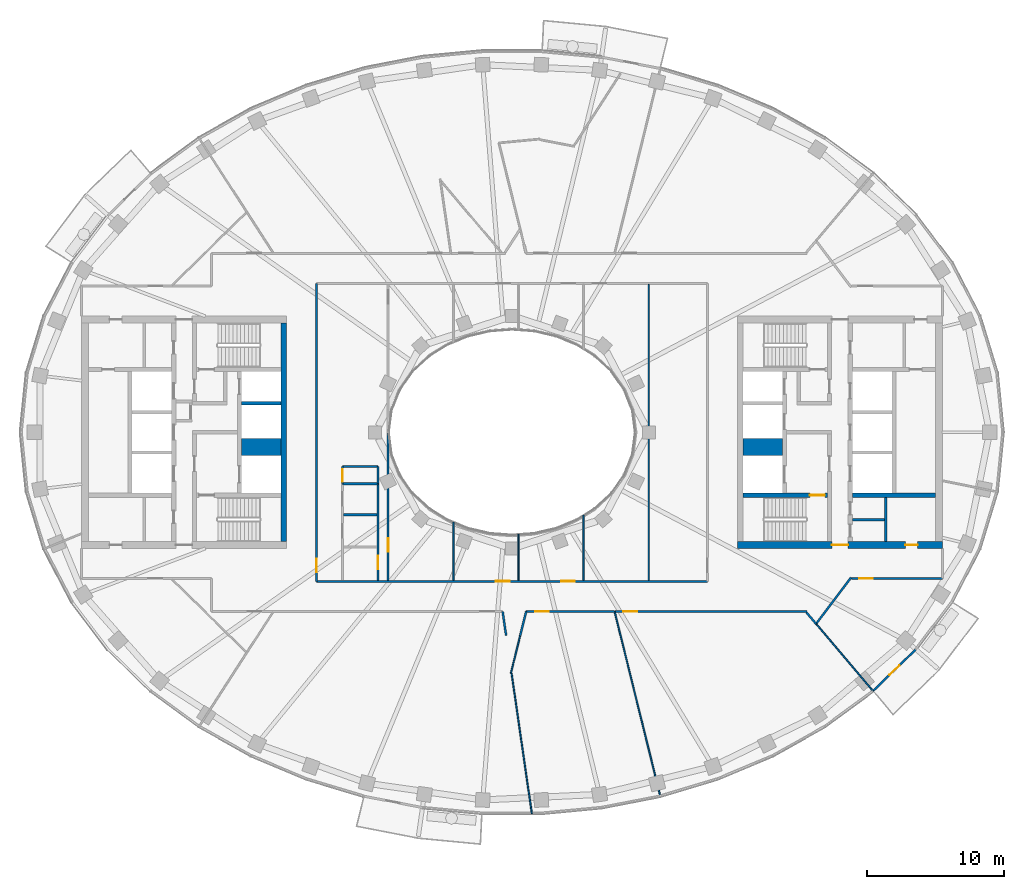
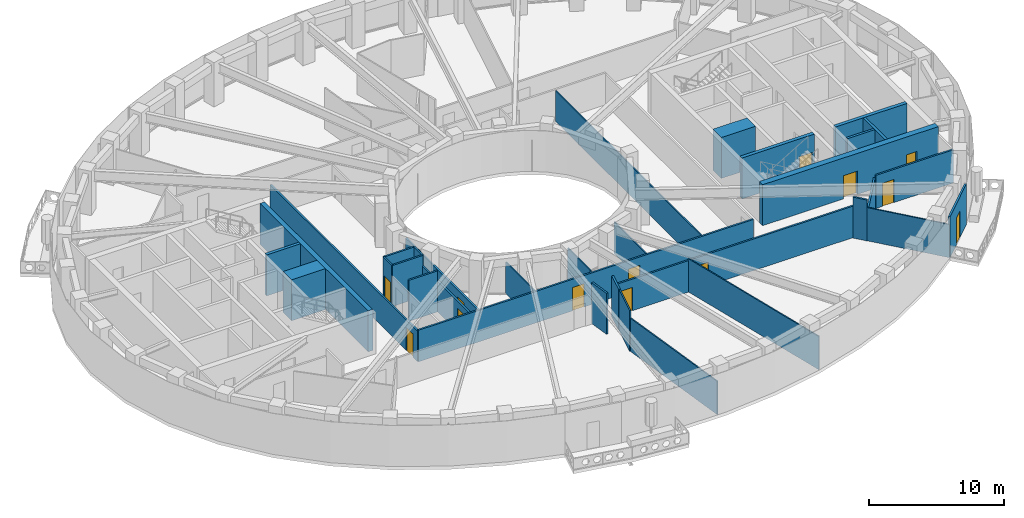
# One storey, part 4 of 16: 34 walls, 13 doors, 13 openings.
"""IFC4 building model written with IfcOpenShell, lengths in metres."""

from ifc_helpers import new_model, si_unit, direction, frame, frame_2d, origin, place, context, subcontext, project, spatial, rectangle, extrude, material, layer, layer_set, type_object, element, fill, save


model = new_model("IFC4")

# Units and contexts
model_context = context("Model", 3, precision=1e-05, world=origin(), true_north=direction((0.0, 1.0)))
body_context = subcontext(model_context, "Body", "Model", "MODEL_VIEW")
ifc_project = project(units=[si_unit("LENGTHUNIT", "METRE"), si_unit("AREAUNIT", "SQUARE_METRE"), si_unit("VOLUMEUNIT", "CUBIC_METRE"), si_unit("PLANEANGLEUNIT", "RADIAN"), si_unit("MASSUNIT", "GRAM", prefix="KILO")], contexts=[model_context])

# Site, building, storey
site_placement = place(None, origin())
site = spatial("IfcSite", under=ifc_project, at=site_placement, CompositionType="ELEMENT")
building_placement = place(site_placement, origin())
building = spatial("IfcBuilding", under=site, at=building_placement, Name="Noorbagh Ring Tower", CompositionType="ELEMENT")
storey_placement = place(building_placement, frame((0.0, 0.0, 261.5)))
storey = spatial("IfcBuildingStorey", under=building, at=storey_placement, Name="L55", CompositionType="ELEMENT", Elevation=261.5)

# Wall, opening, door
ifc_material_1 = material(Name="Gypsum board on steel studs", Category="steel")
ifc_layer_1 = layer(ifc_material_1, 0.14990234375)
ifc_layer_set_1 = layer_set([ifc_layer_1], Name="Gypsum board on steel studs")
wall_type_1 = type_object("IfcWallType", Name="COMPARTMENT PARTITION 150 EI 60", PredefinedType="PARTITIONING", material=ifc_layer_set_1)
wall_1_placement = place(storey_placement, frame((-12.39990234375, -3.760009765625, 0.0), z_axis=(0.0, 0.0, 1.0), x_axis=(0.0, 1.0, 0.0)))
wall_1 = element("IfcWall", 1, at=wall_1_placement, inside=storey, type_object=wall_type_1, Name="L55/wall/P20", PredefinedType="PARTITIONING", context=body_context, shape_type="SweptSolid", body=[
    extrude(rectangle(XDim=1.260009765625, YDim=0.14990234375, at=frame_2d((0.6298828125, 0.0))), origin(), (0.0, 0.0, 1.0), 3.699951171875),
])
opening_1_placement = place(wall_1_placement, frame((0.14990234375, 0.0, 0.0)))
opening_1 = element("IfcOpeningElement", 2, at=opening_1_placement, cuts=wall_1, Name="Opening D4", PredefinedType="OPENING", context=body_context, shape_type="SweptSolid", body=[
    extrude(rectangle(XDim=0.89990234375, YDim=2.10009765625, at=frame_2d((0.449951171875, 1.050048828125))), frame((0.0, 0.0849609375, 0.0), z_axis=(0.0, -1.0, 0.0), x_axis=(1.0, 0.0, 0.0)), (0.0, 0.0, 1.0), 0.169921875),
])
ifc_material_2 = material(Name="Timber, painted", Category="wood")
door_type_1 = type_object("IfcDoorType", Name="DOOR 900 X 2100 FD60", OperationType="SINGLE_SWING_LEFT", PredefinedType="DOOR", material=ifc_material_2)
door_1_placement = place(opening_1_placement, origin())
door_1 = element("IfcDoor", 3, at=door_1_placement, inside=storey, type_object=door_type_1, Name="L55-D05", OperationType="SINGLE_SWING_LEFT", OverallHeight=2.10009765625, OverallWidth=0.89990234375, PredefinedType="DOOR", context=body_context, shape_type="SweptSolid", body=[
    extrude(rectangle(XDim=0.89990234375, YDim=2.10009765625, at=frame_2d((0.449951171875, 1.050048828125))), frame((0.0, 0.02490234375, 0.0), z_axis=(0.0, -1.0, 0.0), x_axis=(1.0, 0.0, 0.0)), (0.0, 0.0, 1.0), 0.050048828125),
])
fill(opening_1, door_1)

# Walls
wall_2_placement = place(storey_placement, frame((-12.39990234375, -3.760009765625, 0.0), z_axis=(0.0, 0.0, 1.0), x_axis=(1.0, 0.0, 0.0)))
element("IfcWall", 4, at=wall_2_placement, inside=storey, type_object=wall_type_1, Name="L55/wall/P21", PredefinedType="PARTITIONING", context=body_context, shape_type="SweptSolid", body=[
    extrude(rectangle(XDim=2.599853515625, YDim=0.14990234375, at=frame_2d((1.2998046875, 0.0))), origin(), (0.0, 0.0, 1.0), 3.699951171875),
])
wall_3_placement = place(storey_placement, frame((-12.39990234375, -2.5, 0.0), z_axis=(0.0, 0.0, 1.0), x_axis=(1.0, 0.0, 0.0)))
element("IfcWall", 5, at=wall_3_placement, inside=storey, type_object=wall_type_1, Name="L55/wall/P22", PredefinedType="PARTITIONING", context=body_context, shape_type="SweptSolid", body=[
    extrude(rectangle(XDim=2.595947265625, YDim=0.14990234375, at=frame_2d((1.2978515625, 0.0))), origin(), (0.0, 0.0, 1.0), 3.699951171875),
])
wall_4_placement = place(storey_placement, frame((-9.800048828125, -3.760009765625, 0.0), z_axis=(0.0, 0.0, 1.0), x_axis=(0.0, 1.0, 0.0)))
element("IfcWall", 6, at=wall_4_placement, inside=storey, type_object=wall_type_1, Name="L55/wall/P24", PredefinedType="PARTITIONING", context=body_context, shape_type="SweptSolid", body=[
    extrude(rectangle(XDim=1.256103515625, YDim=0.14990234375, at=frame_2d((0.6279296875, 0.0))), origin(), (0.0, 0.0, 1.0), 3.699951171875),
])
ifc_material_3 = material(Name="Gypsum board on steel studs", Category="steel")
ifc_layer_2 = layer(ifc_material_3, 0.199951171875)
ifc_layer_set_2 = layer_set([ifc_layer_2], Name="Gypsum board on steel studs")
wall_type_2 = type_object("IfcWallType", Name="CORE-PARTITION-200", PredefinedType="PARTITIONING", material=ifc_layer_set_2)
wall_5_placement = place(storey_placement, frame((27.35009765625, -8.0, 0.0), z_axis=(0.0, 0.0, 1.0), x_axis=(0.0, 1.0, 0.0)))
element("IfcWall", 7, at=wall_5_placement, inside=storey, type_object=wall_type_2, Name="Core partition E", PredefinedType="PARTITIONING", context=body_context, shape_type="SweptSolid", body=[
    extrude(rectangle(XDim=3.25, YDim=0.199951171875, at=frame_2d((1.625, 0.0))), origin(), (0.0, 0.0, 1.0), 3.699951171875),
])
wall_6_placement = place(storey_placement, frame((24.89990234375, -6.39990234375, 0.0), z_axis=(0.0, 0.0, 1.0), x_axis=(1.0, 0.0, 0.0)))
element("IfcWall", 8, at=wall_6_placement, inside=storey, type_object=wall_type_2, Name="Core partition E", PredefinedType="PARTITIONING", context=body_context, shape_type="SweptSolid", body=[
    extrude(rectangle(XDim=2.35009765625, YDim=0.199951171875, at=frame_2d((1.175048828125, 0.0))), origin(), (0.0, 0.0, 1.0), 3.699951171875),
])
ifc_material_4 = material(Name="Concrete C60/75", Category="concrete")
ifc_layer_3 = layer(ifc_material_4, 1.25)
ifc_layer_set_3 = layer_set([ifc_layer_3], Name="Concrete C60/75")
wall_type_3 = type_object("IfcWallType", Name="CORE-WALL-1250-C60-75-EI120", PredefinedType="SHEAR", material=ifc_layer_set_3)
for number, where, z_axis, x_axis, name in (
    (9, (-16.89990234375, -1.074951171875, 0.0), (0.0, 0.0, 1.0), (-1.0, 0.0, 0.0), "Core wall W"),
    (10, (16.89990234375, -1.074951171875, 0.0), (0.0, 0.0, 1.0), (1.0, 0.0, 0.0), "Core wall E"),
):
    element("IfcWall", number, at=place(storey_placement, frame(where, z_axis=z_axis, x_axis=x_axis)), inside=storey, type_object=wall_type_3, Name=name, PredefinedType="SHEAR", context=body_context, shape_type="SweptSolid", body=[
        extrude(rectangle(XDim=2.900146484375, YDim=1.25, at=frame_2d((1.4501953125, 0.0))), origin(), (0.0, 0.0, 1.0), 3.699951171875),
    ])
ifc_material_5 = material(Name="Concrete C60/75", Category="concrete")
ifc_layer_4 = layer(ifc_material_5, 0.25)
ifc_layer_set_4 = layer_set([ifc_layer_4], Name="Concrete C60/75")
wall_type_4 = type_object("IfcWallType", Name="CORE-WALL-250-C60-75-EI120", PredefinedType="SHEAR", material=ifc_layer_set_4)
wall_7_placement = place(storey_placement, frame((-16.89990234375, 2.125, 0.0), z_axis=(0.0, 0.0, 1.0), x_axis=(-1.0, 0.0, 0.0)))
element("IfcWall", 11, at=wall_7_placement, inside=storey, type_object=wall_type_4, Name="Core wall W", PredefinedType="SHEAR", context=body_context, shape_type="SweptSolid", body=[
    extrude(rectangle(XDim=2.900146484375, YDim=0.25, at=frame_2d((1.4501953125, 0.0))), origin(), (0.0, 0.0, 1.0), 3.699951171875),
])
ifc_material_6 = material(Name="Concrete C60/75", Category="concrete")
ifc_layer_5 = layer(ifc_material_6, 0.300048828125)
ifc_layer_set_5 = layer_set([ifc_layer_5], Name="Concrete C60/75")
wall_type_5 = type_object("IfcWallType", Name="CORE-WALL-300-C60-75-EI240", PredefinedType="SHEAR", material=ifc_layer_set_5)
wall_8_placement = place(storey_placement, frame((24.89990234375, -4.60009765625, 0.0), z_axis=(0.0, 0.0, 1.0), x_axis=(1.0, 0.0, 0.0)))
element("IfcWall", 12, at=wall_8_placement, inside=storey, type_object=wall_type_5, Name="Core wall E", PredefinedType="SHEAR", context=body_context, shape_type="SweptSolid", body=[
    extrude(rectangle(XDim=6.10009765625, YDim=0.300048828125, at=frame_2d((3.050048828125, 0.0))), origin(), (0.0, 0.0, 1.0), 3.699951171875),
])

# Wall, opening, door
wall_9_placement = place(storey_placement, frame((16.89990234375, -4.60009765625, 0.0), z_axis=(0.0, 0.0, 1.0), x_axis=(1.0, 0.0, 0.0)))
wall_9 = element("IfcWall", 13, at=wall_9_placement, inside=storey, type_object=wall_type_5, Name="Core wall E", PredefinedType="SHEAR", context=body_context, shape_type="SweptSolid", body=[
    extrude(rectangle(XDim=6.18017578125, YDim=0.300048828125, at=frame_2d((3.090087890625, 0.0))), origin(), (0.0, 0.0, 1.0), 3.699951171875),
])
opening_2_placement = place(wall_9_placement, frame((4.89990234375, 0.0, 0.0)))
opening_2 = element("IfcOpeningElement", 14, at=opening_2_placement, cuts=wall_9, Name="Opening L55-CE08", PredefinedType="OPENING", context=body_context, shape_type="SweptSolid", body=[
    extrude(rectangle(XDim=1.10009765625, YDim=2.10009765625, at=frame_2d((0.550048828125, 1.050048828125))), frame((0.0, 0.16015625, 0.0), z_axis=(0.0, -1.0, 0.0), x_axis=(1.0, 0.0, 0.0)), (0.0, 0.0, 1.0), 0.320068359375),
])
ifc_material_7 = material(Name="Steel door leaf", Category="steel")
door_type_2 = type_object("IfcDoorType", Name="CORE-DOOR-DSTAIR", OperationType="SINGLE_SWING_LEFT", PredefinedType="DOOR", material=ifc_material_7)
door_2_placement = place(opening_2_placement, origin())
door_2 = element("IfcDoor", 15, at=door_2_placement, inside=storey, type_object=door_type_2, Name="Stair door ST4 L55-CE08", OperationType="SINGLE_SWING_RIGHT", OverallHeight=2.10009765625, OverallWidth=1.10009765625, PredefinedType="DOOR", context=body_context, shape_type="SweptSolid", body=[
    extrude(rectangle(XDim=1.10009765625, YDim=2.10009765625, at=frame_2d((0.550048828125, 1.050048828125))), frame((0.0, 0.02490234375, 0.0), z_axis=(0.0, -1.0, 0.0), x_axis=(1.0, 0.0, 0.0)), (0.0, 0.0, 1.0), 0.050048828125),
])
fill(opening_2, door_2)

# Wall
ifc_material_8 = material(Name="Concrete C60/75", Category="concrete")
ifc_layer_6 = layer(ifc_material_8, 0.39990234375)
ifc_layer_set_6 = layer_set([ifc_layer_6], Name="Concrete C60/75")
wall_type_6 = type_object("IfcWallType", Name="CORE-WALL-400-C60-75-EI240", PredefinedType="SHEAR", material=ifc_layer_set_6)
wall_10_placement = place(storey_placement, frame((-16.699951171875, -8.0, 0.0), z_axis=(0.0, 0.0, 1.0), x_axis=(0.0, 1.0, 0.0)))
element("IfcWall", 16, at=wall_10_placement, inside=storey, type_object=wall_type_6, Name="Core wall W", PredefinedType="SHEAR", context=body_context, shape_type="SweptSolid", body=[
    extrude(rectangle(XDim=16.0, YDim=0.39990234375, at=frame_2d((8.0, 0.0))), origin(), (0.0, 0.0, 1.0), 3.699951171875),
])

# Wall, openings, doors
ifc_material_9 = material(Name="Concrete C60/75", Category="concrete")
ifc_layer_7 = layer(ifc_material_9, 0.5)
ifc_layer_set_7 = layer_set([ifc_layer_7], Name="Concrete C60/75")
wall_type_7 = type_object("IfcWallType", Name="CORE-WALL-500-C60-75-EI240", PredefinedType="SHEAR", material=ifc_layer_set_7)
wall_11_placement = place(storey_placement, frame((16.5, -8.25, 0.0), z_axis=(0.0, 0.0, 1.0), x_axis=(1.0, 0.0, 0.0)))
wall_11 = element("IfcWall", 17, at=wall_11_placement, inside=storey, type_object=wall_type_7, Name="Core wall E", PredefinedType="SHEAR", context=body_context, shape_type="SweptSolid", body=[
    extrude(rectangle(XDim=15.0, YDim=0.5, at=frame_2d((7.5, 0.0))), origin(), (0.0, 0.0, 1.0), 3.699951171875),
])
opening_3_placement = place(wall_11_placement, frame((6.89990234375, 0.0, 0.0)))
opening_3 = element("IfcOpeningElement", 18, at=opening_3_placement, cuts=wall_11, Name="Opening L55-CE12", PredefinedType="OPENING", context=body_context, shape_type="SweptSolid", body=[
    extrude(rectangle(XDim=1.199951171875, YDim=2.10009765625, at=frame_2d((0.60009765625, 1.050048828125))), frame((0.0, 0.260009765625, 0.0), z_axis=(0.0, -1.0, 0.0), x_axis=(1.0, 0.0, 0.0)), (0.0, 0.0, 1.0), 0.52001953125),
])
opening_4_placement = place(wall_11_placement, frame((12.27490234375, 0.0, 0.0)))
opening_4 = element("IfcOpeningElement", 19, at=opening_4_placement, cuts=wall_11, Name="Opening L55-CE17", PredefinedType="OPENING", context=body_context, shape_type="SweptSolid", body=[
    extrude(rectangle(XDim=0.89990234375, YDim=2.10009765625, at=frame_2d((0.449951171875, 1.050048828125))), frame((0.0, 0.260009765625, 0.0), z_axis=(0.0, -1.0, 0.0), x_axis=(1.0, 0.0, 0.0)), (0.0, 0.0, 1.0), 0.52001953125),
])
ifc_material_10 = material(Name="Steel door leaf", Category="steel")
door_type_3 = type_object("IfcDoorType", Name="CORE-DOOR-DROOM", OperationType="SINGLE_SWING_LEFT", PredefinedType="DOOR", material=ifc_material_10)
door_3_placement = place(opening_4_placement, origin())
door_3 = element("IfcDoor", 20, at=door_3_placement, inside=storey, type_object=door_type_3, Name="Core room door L55-CE17", OperationType="SINGLE_SWING_RIGHT", OverallHeight=2.10009765625, OverallWidth=0.89990234375, PredefinedType="DOOR", context=body_context, shape_type="SweptSolid", body=[
    extrude(rectangle(XDim=0.89990234375, YDim=2.10009765625, at=frame_2d((0.449951171875, 1.050048828125))), frame((0.0, 0.02490234375, 0.0), z_axis=(0.0, -1.0, 0.0), x_axis=(1.0, 0.0, 0.0)), (0.0, 0.0, 1.0), 0.050048828125),
])
fill(opening_4, door_3)
ifc_material_11 = material(Name="Steel door leaf", Category="steel")
door_type_4 = type_object("IfcDoorType", Name="CORE-DOOR-PORT", OperationType="DOUBLE_DOOR_DOUBLE_SWING", PredefinedType="DOOR", material=ifc_material_11)
door_4_placement = place(opening_3_placement, origin())
door_4 = element("IfcDoor", 21, at=door_4_placement, inside=storey, type_object=door_type_4, Name="Core entrance door L55-CE12", OperationType="DOUBLE_DOOR_DOUBLE_SWING", OverallHeight=2.10009765625, OverallWidth=1.199951171875, PredefinedType="DOOR", context=body_context, shape_type="SweptSolid", body=[
    extrude(rectangle(XDim=1.199951171875, YDim=2.10009765625, at=frame_2d((0.60009765625, 1.050048828125))), frame((0.0, 0.02490234375, 0.0), z_axis=(0.0, -1.0, 0.0), x_axis=(1.0, 0.0, 0.0)), (0.0, 0.0, 1.0), 0.050048828125),
])
fill(opening_3, door_4)

# Wall, opening, door
ifc_material_12 = material(Name="Gypsum board on steel studs", Category="steel")
ifc_layer_8 = layer(ifc_material_12, 0.14990234375)
ifc_layer_set_8 = layer_set([ifc_layer_8], Name="Gypsum board on steel studs")
wall_type_8 = type_object("IfcWallType", Name="CORRIDOR PARTITION 150 EI 30", PredefinedType="PARTITIONING", material=ifc_layer_set_8)
wall_12_placement = place(storey_placement, frame((-14.300048828125, -10.89990234375, 0.0), z_axis=(0.0, 0.0, 1.0), x_axis=(0.0, 1.0, 0.0)))
wall_12 = element("IfcWall", 22, at=wall_12_placement, inside=storey, type_object=wall_type_8, Name="L55/wall/P14", PredefinedType="PARTITIONING", context=body_context, shape_type="SweptSolid", body=[
    extrude(rectangle(XDim=21.7998046875, YDim=0.14990234375, at=frame_2d((10.89990234375, 0.0))), origin(), (0.0, 0.0, 1.0), 2.75),
])
opening_5_placement = place(wall_12_placement, frame((0.64990234375, 0.0, 0.0)))
opening_5 = element("IfcOpeningElement", 23, at=opening_5_placement, cuts=wall_12, Name="Opening D1", PredefinedType="OPENING", context=body_context, shape_type="SweptSolid", body=[
    extrude(rectangle(XDim=1.0, YDim=2.10009765625, at=frame_2d((0.5, 1.050048828125))), frame((0.0, 0.0849609375, 0.0), z_axis=(0.0, -1.0, 0.0), x_axis=(1.0, 0.0, 0.0)), (0.0, 0.0, 1.0), 0.169921875),
])
ifc_material_13 = material(Name="Timber, painted", Category="wood")
door_type_5 = type_object("IfcDoorType", Name="DOOR 1000 X 2100 FD30", OperationType="SINGLE_SWING_LEFT", PredefinedType="DOOR", material=ifc_material_13)
door_5_placement = place(opening_5_placement, origin())
door_5 = element("IfcDoor", 24, at=door_5_placement, inside=storey, type_object=door_type_5, Name="L55-D01", OperationType="SINGLE_SWING_LEFT", OverallHeight=2.10009765625, OverallWidth=1.0, PredefinedType="DOOR", context=body_context, shape_type="SweptSolid", body=[
    extrude(rectangle(XDim=1.0, YDim=2.10009765625, at=frame_2d((0.5, 1.050048828125))), frame((0.0, 0.02490234375, 0.0), z_axis=(0.0, -1.0, 0.0), x_axis=(1.0, 0.0, 0.0)), (0.0, 0.0, 1.0), 0.050048828125),
])
fill(opening_5, door_5)

# Wall, openings, doors
wall_13_placement = place(storey_placement, frame((-14.300048828125, -10.89990234375, 0.0), z_axis=(0.0, 0.0, 1.0), x_axis=(1.0, 0.0, 0.0)))
wall_13 = element("IfcWall", 25, at=wall_13_placement, inside=storey, type_object=wall_type_8, Name="L55/wall/P15", PredefinedType="PARTITIONING", context=body_context, shape_type="SweptSolid", body=[
    extrude(rectangle(XDim=28.60009765625, YDim=0.14990234375, at=frame_2d((14.300048828125, 0.0))), origin(), (0.0, 0.0, 1.0), 2.85009765625),
])
opening_6_placement = place(wall_13_placement, frame((13.126953125, 0.0, 0.0)))
opening_6 = element("IfcOpeningElement", 26, at=opening_6_placement, cuts=wall_13, Name="Opening D1", PredefinedType="OPENING", context=body_context, shape_type="SweptSolid", body=[
    extrude(rectangle(XDim=1.0, YDim=2.10009765625, at=frame_2d((0.5, 1.050048828125))), frame((0.0, 0.0849609375, 0.0), z_axis=(0.0, -1.0, 0.0), x_axis=(1.0, 0.0, 0.0)), (0.0, 0.0, 1.0), 0.169921875),
])
opening_7_placement = place(wall_13_placement, frame((17.89306640625, 0.0, 0.0)))
opening_7 = element("IfcOpeningElement", 27, at=opening_7_placement, cuts=wall_13, Name="Opening D1", PredefinedType="OPENING", context=body_context, shape_type="SweptSolid", body=[
    extrude(rectangle(XDim=1.0, YDim=2.10009765625, at=frame_2d((0.5, 1.050048828125))), frame((0.0, 0.0849609375, 0.0), z_axis=(0.0, -1.0, 0.0), x_axis=(1.0, 0.0, 0.0)), (0.0, 0.0, 1.0), 0.169921875),
])
door_6_placement = place(opening_6_placement, origin())
door_6 = element("IfcDoor", 28, at=door_6_placement, inside=storey, type_object=door_type_5, Name="L55-D21", OperationType="SINGLE_SWING_LEFT", OverallHeight=2.10009765625, OverallWidth=1.0, PredefinedType="DOOR", context=body_context, shape_type="SweptSolid", body=[
    extrude(rectangle(XDim=1.0, YDim=2.10009765625, at=frame_2d((0.5, 1.050048828125))), frame((0.0, 0.02490234375, 0.0), z_axis=(0.0, -1.0, 0.0), x_axis=(1.0, 0.0, 0.0)), (0.0, 0.0, 1.0), 0.050048828125),
])
fill(opening_6, door_6)
door_7_placement = place(opening_7_placement, origin())
door_7 = element("IfcDoor", 29, at=door_7_placement, inside=storey, type_object=door_type_5, Name="L55-D23", OperationType="SINGLE_SWING_LEFT", OverallHeight=2.10009765625, OverallWidth=1.0, PredefinedType="DOOR", context=body_context, shape_type="SweptSolid", body=[
    extrude(rectangle(XDim=1.0, YDim=2.10009765625, at=frame_2d((0.5, 1.050048828125))), frame((0.0, 0.02490234375, 0.0), z_axis=(0.0, -1.0, 0.0), x_axis=(1.0, 0.0, 0.0)), (0.0, 0.0, 1.0), 0.050048828125),
])
fill(opening_7, door_7)

# Wall
wall_14_placement = place(storey_placement, frame((-12.324951171875, -6.028076171875, 0.0), z_axis=(0.0, 0.0, 1.0), x_axis=(1.0, 0.0, 0.0)))
element("IfcWall", 30, at=wall_14_placement, inside=storey, type_object=wall_type_8, Name="L55/wall/P19", PredefinedType="PARTITIONING", context=body_context, shape_type="SweptSolid", body=[
    extrude(rectangle(XDim=2.449951171875, YDim=0.14990234375, at=frame_2d((1.22509765625, 0.0))), origin(), (0.0, 0.0, 1.0), 3.699951171875),
])

# Wall, opening, door
wall_15_placement = place(storey_placement, frame((-9.800048828125, -10.824951171875, 0.0), z_axis=(0.0, 0.0, 1.0), x_axis=(0.0, 1.0, 0.0)))
wall_15 = element("IfcWall", 31, at=wall_15_placement, inside=storey, type_object=wall_type_8, Name="L55/wall/P23", PredefinedType="PARTITIONING", context=body_context, shape_type="SweptSolid", body=[
    extrude(rectangle(XDim=7.06494140625, YDim=0.14990234375, at=frame_2d((3.532470703125, 0.0))), origin(), (0.0, 0.0, 1.0), 2.75),
])
opening_8_placement = place(wall_15_placement, frame((0.794921875, 0.0, 0.0)))
opening_8 = element("IfcOpeningElement", 32, at=opening_8_placement, cuts=wall_15, Name="Opening D3", PredefinedType="OPENING", context=body_context, shape_type="SweptSolid", body=[
    extrude(rectangle(XDim=1.0, YDim=2.10009765625, at=frame_2d((0.5, 1.050048828125))), frame((0.0, 0.0849609375, 0.0), z_axis=(0.0, -1.0, 0.0), x_axis=(1.0, 0.0, 0.0)), (0.0, 0.0, 1.0), 0.169921875),
])
ifc_material_14 = material(Name="Timber, painted", Category="wood")
door_type_6 = type_object("IfcDoorType", Name="DOOR 1000 X 2100 WC", OperationType="SINGLE_SWING_LEFT", PredefinedType="DOOR", material=ifc_material_14)
door_8_placement = place(opening_8_placement, origin())
door_8 = element("IfcDoor", 33, at=door_8_placement, inside=storey, type_object=door_type_6, Name="L55-D02", OperationType="SINGLE_SWING_RIGHT", OverallHeight=2.10009765625, OverallWidth=1.0, PredefinedType="DOOR", context=body_context, shape_type="SweptSolid", body=[
    extrude(rectangle(XDim=1.0, YDim=2.10009765625, at=frame_2d((0.5, 1.050048828125))), frame((0.0, 0.02490234375, 0.0), z_axis=(0.0, -1.0, 0.0), x_axis=(1.0, 0.0, 0.0)), (0.0, 0.0, 1.0), 0.050048828125),
])
fill(opening_8, door_8)

wall_16_placement = place(storey_placement, frame((-9.056884765625, -10.824951171875, 0.0), z_axis=(0.0, 0.0, 1.0), x_axis=(0.0, 1.0, 0.0)))
wall_16 = element("IfcWall", 34, at=wall_16_placement, inside=storey, type_object=wall_type_8, Name="L55/wall/P25", PredefinedType="PARTITIONING", context=body_context, shape_type="SweptSolid", body=[
    extrude(rectangle(XDim=10.780029296875, YDim=0.14990234375, at=frame_2d((5.39013671875, 0.0))), origin(), (0.0, 0.0, 1.0), 2.75),
])
opening_9_placement = place(wall_16_placement, frame((2.074951171875, 0.0, 0.0)))
opening_9 = element("IfcOpeningElement", 35, at=opening_9_placement, cuts=wall_16, Name="Opening D1", PredefinedType="OPENING", context=body_context, shape_type="SweptSolid", body=[
    extrude(rectangle(XDim=1.0, YDim=2.10009765625, at=frame_2d((0.5, 1.050048828125))), frame((0.0, 0.0849609375, 0.0), z_axis=(0.0, -1.0, 0.0), x_axis=(1.0, 0.0, 0.0)), (0.0, 0.0, 1.0), 0.169921875),
])
door_9_placement = place(opening_9_placement, origin())
door_9 = element("IfcDoor", 36, at=door_9_placement, inside=storey, type_object=door_type_5, Name="L55-D19", OperationType="SINGLE_SWING_LEFT", OverallHeight=2.10009765625, OverallWidth=1.0, PredefinedType="DOOR", context=body_context, shape_type="SweptSolid", body=[
    extrude(rectangle(XDim=1.0, YDim=2.10009765625, at=frame_2d((0.5, 1.050048828125))), frame((0.0, 0.02490234375, 0.0), z_axis=(0.0, -1.0, 0.0), x_axis=(1.0, 0.0, 0.0)), (0.0, 0.0, 1.0), 0.050048828125),
])
fill(opening_9, door_9)

# Walls
wall_17_placement = place(storey_placement, frame((-0.68603515625, -13.10009765625, 0.0), z_axis=(0.0, 0.0, 1.0), x_axis=(0.143329398439, -0.989675039366, 0.0)))
element("IfcWall", 37, at=wall_17_placement, inside=storey, type_object=wall_type_8, Name="L55/wall/P34", PredefinedType="PARTITIONING", context=body_context, shape_type="SweptSolid", body=[
    extrude(rectangle(XDim=1.773193359375, YDim=0.14990234375, at=frame_2d((0.88671875, 0.0))), origin(), (0.0, 0.0, 1.0), 3.699951171875),
])
wall_18_placement = place(storey_placement, frame((0.597900390625, -14.8740234375, 0.0), z_axis=(0.0, 0.0, 1.0), x_axis=(0.239705101821, 0.970845746842, 0.0)))
element("IfcWall", 38, at=wall_18_placement, inside=storey, type_object=wall_type_8, Name="L55/wall/P40", PredefinedType="PARTITIONING", context=body_context, shape_type="SweptSolid", body=[
    extrude(rectangle(XDim=1.8271484375, YDim=0.14990234375, at=frame_2d((0.91357421875, 0.0))), origin(), (0.0, 0.0, 1.0), 3.699951171875),
])

# Wall, opening, door
wall_19_placement = place(storey_placement, frame((1.035888671875, -13.10009765625, 0.0), z_axis=(0.0, 0.0, 1.0), x_axis=(1.0, 0.0, 0.0)))
wall_19 = element("IfcWall", 39, at=wall_19_placement, inside=storey, type_object=wall_type_8, Name="L55/wall/P42", PredefinedType="PARTITIONING", context=body_context, shape_type="SweptSolid", body=[
    extrude(rectangle(XDim=6.47119140625, YDim=0.14990234375, at=frame_2d((3.235595703125, 0.0))), origin(), (0.0, 0.0, 1.0), 2.85009765625),
])
opening_10_placement = place(wall_19_placement, frame((0.64990234375, 0.0, 0.0)))
opening_10 = element("IfcOpeningElement", 40, at=opening_10_placement, cuts=wall_19, Name="Opening D1", PredefinedType="OPENING", context=body_context, shape_type="SweptSolid", body=[
    extrude(rectangle(XDim=1.0, YDim=2.10009765625, at=frame_2d((0.5, 1.050048828125))), frame((0.0, 0.0849609375, 0.0), z_axis=(0.0, -1.0, 0.0), x_axis=(1.0, 0.0, 0.0)), (0.0, 0.0, 1.0), 0.169921875),
])
door_10_placement = place(opening_10_placement, origin())
door_10 = element("IfcDoor", 41, at=door_10_placement, inside=storey, type_object=door_type_5, Name="L55-D13", OperationType="SINGLE_SWING_LEFT", OverallHeight=2.10009765625, OverallWidth=1.0, PredefinedType="DOOR", context=body_context, shape_type="SweptSolid", body=[
    extrude(rectangle(XDim=1.0, YDim=2.10009765625, at=frame_2d((0.5, 1.050048828125))), frame((0.0, 0.02490234375, 0.0), z_axis=(0.0, -1.0, 0.0), x_axis=(1.0, 0.0, 0.0)), (0.0, 0.0, 1.0), 0.050048828125),
])
fill(opening_10, door_10)

wall_20_placement = place(storey_placement, frame((7.52392578125, -13.10009765625, 0.0), z_axis=(0.0, 0.0, 1.0), x_axis=(1.0, 0.0, 0.0)))
wall_20 = element("IfcWall", 42, at=wall_20_placement, inside=storey, type_object=wall_type_8, Name="L55/wall/P50", PredefinedType="PARTITIONING", context=body_context, shape_type="SweptSolid", body=[
    extrude(rectangle(XDim=14.052001953125, YDim=0.14990234375, at=frame_2d((7.02587890625, 0.0))), origin(), (0.0, 0.0, 1.0), 2.85009765625),
])
opening_11_placement = place(wall_20_placement, frame((0.633056640625, 0.0, 0.0)))
opening_11 = element("IfcOpeningElement", 43, at=opening_11_placement, cuts=wall_20, Name="Opening D1", PredefinedType="OPENING", context=body_context, shape_type="SweptSolid", body=[
    extrude(rectangle(XDim=1.0, YDim=2.10009765625, at=frame_2d((0.5, 1.050048828125))), frame((0.0, 0.0849609375, 0.0), z_axis=(0.0, -1.0, 0.0), x_axis=(1.0, 0.0, 0.0)), (0.0, 0.0, 1.0), 0.169921875),
])
door_11_placement = place(opening_11_placement, origin())
door_11 = element("IfcDoor", 44, at=door_11_placement, inside=storey, type_object=door_type_5, Name="L55-D15", OperationType="SINGLE_SWING_LEFT", OverallHeight=2.10009765625, OverallWidth=1.0, PredefinedType="DOOR", context=body_context, shape_type="SweptSolid", body=[
    extrude(rectangle(XDim=1.0, YDim=2.10009765625, at=frame_2d((0.5, 1.050048828125))), frame((0.0, 0.02490234375, 0.0), z_axis=(0.0, -1.0, 0.0), x_axis=(1.0, 0.0, 0.0)), (0.0, 0.0, 1.0), 0.050048828125),
])
fill(opening_11, door_11)

# Walls
wall_21_placement = place(storey_placement, frame((21.541015625, -13.175048828125, 0.0), z_axis=(0.0, 0.0, 1.0), x_axis=(0.646460291141, -0.762947633837, 0.0)))
element("IfcWall", 45, at=wall_21_placement, inside=storey, type_object=wall_type_8, Name="L55/wall/P54", PredefinedType="PARTITIONING", context=body_context, shape_type="SweptSolid", body=[
    extrude(rectangle(XDim=1.09814453125, YDim=0.14990234375, at=frame_2d((0.549072265625, 0.0))), origin(), (0.0, 0.0, 1.0), 3.699951171875),
])
wall_22_placement = place(storey_placement, frame((22.2509765625, -14.012939453125, 0.0), z_axis=(0.0, 0.0, 1.0), x_axis=(0.602435944628, 0.798167233492, 0.0)))
element("IfcWall", 46, at=wall_22_placement, inside=storey, type_object=wall_type_8, Name="L55/wall/P56", PredefinedType="PARTITIONING", context=body_context, shape_type="SweptSolid", body=[
    extrude(rectangle(XDim=4.24462890625, YDim=0.14990234375, at=frame_2d((2.122314453125, 0.0))), origin(), (0.0, 0.0, 1.0), 2.75),
])

# Wall, opening, door
wall_23_placement = place(storey_placement, frame((24.844970703125, -10.699951171875, 0.0), z_axis=(0.0, 0.0, 1.0), x_axis=(1.0, 0.0, 0.0)))
wall_23 = element("IfcWall", 47, at=wall_23_placement, inside=storey, type_object=wall_type_8, Name="L55/wall/P60", PredefinedType="PARTITIONING", context=body_context, shape_type="SweptSolid", body=[
    extrude(rectangle(XDim=6.655029296875, YDim=0.14990234375, at=frame_2d((3.32763671875, 0.0))), origin(), (0.0, 0.0, 1.0), 3.0),
])
opening_12_placement = place(wall_23_placement, frame((0.555908203125, 0.0, 0.0)))
opening_12 = element("IfcOpeningElement", 48, at=opening_12_placement, cuts=wall_23, Name="Opening D1", PredefinedType="OPENING", context=body_context, shape_type="SweptSolid", body=[
    extrude(rectangle(XDim=1.0, YDim=2.10009765625, at=frame_2d((0.5, 1.050048828125))), frame((0.0, 0.0849609375, 0.0), z_axis=(0.0, -1.0, 0.0), x_axis=(1.0, 0.0, 0.0)), (0.0, 0.0, 1.0), 0.169921875),
])
door_12_placement = place(opening_12_placement, origin())
door_12 = element("IfcDoor", 49, at=door_12_placement, inside=storey, type_object=door_type_5, Name="L55-D17", OperationType="SINGLE_SWING_LEFT", OverallHeight=2.10009765625, OverallWidth=1.0, PredefinedType="DOOR", context=body_context, shape_type="SweptSolid", body=[
    extrude(rectangle(XDim=1.0, YDim=2.10009765625, at=frame_2d((0.5, 1.050048828125))), frame((0.0, 0.02490234375, 0.0), z_axis=(0.0, -1.0, 0.0), x_axis=(1.0, 0.0, 0.0)), (0.0, 0.0, 1.0), 0.050048828125),
])
fill(opening_12, door_12)

ifc_material_15 = material(Name="Insulated aluminium clad panel", Category="aluminium")
ifc_layer_9 = layer(ifc_material_15, 0.14990234375)
ifc_layer_set_9 = layer_set([ifc_layer_9], Name="Insulated aluminium clad panel")
wall_type_9 = type_object("IfcWallType", Name="ENV-WALL-DOOR", PredefinedType="STANDARD", material=ifc_layer_set_9)
wall_24_placement = place(storey_placement, frame((26.396484375, -18.943359375, 0.0), z_axis=(0.0, 0.0, 1.0), x_axis=(0.717214761864, 0.696852197647, 0.0)))
wall_24 = element("IfcWall", 50, at=wall_24_placement, inside=storey, type_object=wall_type_9, Name="Balcony door wall chord 42", PredefinedType="STANDARD", context=body_context, shape_type="SweptSolid", body=[
    extrude(rectangle(XDim=4.424072265625, YDim=0.14990234375, at=frame_2d((2.2119140625, 0.0))), origin(), (0.0, 0.0, 1.0), 3.699951171875),
])
opening_13_placement = place(wall_24_placement, frame((1.712158203125, 0.0, 0.0)))
opening_13 = element("IfcOpeningElement", 51, at=opening_13_placement, cuts=wall_24, Name="Opening D-BL", PredefinedType="OPENING", context=body_context, shape_type="SweptSolid", body=[
    extrude(rectangle(XDim=1.0, YDim=2.39990234375, at=frame_2d((0.5, 1.199951171875))), frame((0.0, 0.0849609375, 0.0), z_axis=(0.0, -1.0, 0.0), x_axis=(1.0, 0.0, 0.0)), (0.0, 0.0, 1.0), 0.169921875),
])
ifc_material_16 = material(Name="Aluminium and glass", Category="aluminium")
door_type_7 = type_object("IfcDoorType", Name="ENV-DOOR-BALCONY", OperationType="SINGLE_SWING_LEFT", PredefinedType="DOOR", material=ifc_material_16)
door_13_placement = place(opening_13_placement, origin())
door_13 = element("IfcDoor", 52, at=door_13_placement, inside=storey, type_object=door_type_7, Name="Balcony door chord 42", OperationType="SINGLE_SWING_RIGHT", OverallHeight=2.39990234375, OverallWidth=1.0, PredefinedType="DOOR", context=body_context, shape_type="SweptSolid", body=[
    extrude(rectangle(XDim=1.0, YDim=2.39990234375, at=frame_2d((0.5, 1.199951171875))), frame((0.0, 0.02490234375, 0.0), z_axis=(0.0, -1.0, 0.0), x_axis=(1.0, 0.0, 0.0)), (0.0, 0.0, 1.0), 0.050048828125),
])
fill(opening_13, door_13)

# Walls
ifc_material_17 = material(Name="Gypsum board on steel studs", Category="steel")
ifc_layer_10 = layer(ifc_material_17, 0.10009765625)
ifc_layer_set_10 = layer_set([ifc_layer_10], Name="Gypsum board on steel studs")
wall_type_10 = type_object("IfcWallType", Name="PARTITION 100 GYPSUM", PredefinedType="PARTITIONING", material=ifc_layer_set_10)
wall_25_placement = place(storey_placement, frame((-4.2900390625, -10.824951171875, 0.0), z_axis=(0.0, 0.0, 1.0), x_axis=(0.0, 1.0, 0.0)))
element("IfcWall", 53, at=wall_25_placement, inside=storey, type_object=wall_type_10, Name="L55/wall/P30", PredefinedType="PARTITIONING", context=body_context, shape_type="SweptSolid", body=[
    extrude(rectangle(XDim=4.2568359375, YDim=0.10009765625, at=frame_2d((2.12841796875, 0.0))), origin(), (0.0, 0.0, 1.0), 2.85009765625),
])
wall_26_placement = place(storey_placement, frame((-0.08203125, -17.625, 0.0), z_axis=(0.0, 0.0, 1.0), x_axis=(0.23980869536, 0.970820163382, 0.0)))
element("IfcWall", 54, at=wall_26_placement, inside=storey, type_object=wall_type_10, Name="L55/wall/P36", PredefinedType="PARTITIONING", context=body_context, shape_type="SweptSolid", body=[
    extrude(rectangle(XDim=2.802734375, YDim=0.10009765625, at=frame_2d((1.4013671875, 0.0))), origin(), (0.0, 0.0, 1.0), 3.699951171875),
])
wall_27_placement = place(storey_placement, frame((-0.031005859375, -17.6279296875, 0.0), z_axis=(0.0, 0.0, 1.0), x_axis=(0.143055546046, -0.989714661276, 0.0)))
element("IfcWall", 55, at=wall_27_placement, inside=storey, type_object=wall_type_10, Name="L55/wall/P37", PredefinedType="PARTITIONING", context=body_context, shape_type="SweptSolid", body=[
    extrude(rectangle(XDim=10.372802734375, YDim=0.10009765625, at=frame_2d((5.1865234375, 0.0))), origin(), (0.0, 0.0, 1.0), 3.0),
])
wall_28_placement = place(storey_placement, frame((0.47705078125, -10.824951171875, 0.0), z_axis=(0.0, 0.0, 1.0), x_axis=(0.0, 1.0, 0.0)))
element("IfcWall", 56, at=wall_28_placement, inside=storey, type_object=wall_type_10, Name="L55/wall/P38", PredefinedType="PARTITIONING", context=body_context, shape_type="SweptSolid", body=[
    extrude(rectangle(XDim=3.35693359375, YDim=0.10009765625, at=frame_2d((1.678466796875, 0.0))), origin(), (0.0, 0.0, 1.0), 3.0),
])
wall_29_placement = place(storey_placement, frame((5.242919921875, -10.824951171875, 0.0), z_axis=(0.0, 0.0, 1.0), x_axis=(0.0, 1.0, 0.0)))
element("IfcWall", 57, at=wall_29_placement, inside=storey, type_object=wall_type_10, Name="L55/wall/P46", PredefinedType="PARTITIONING", context=body_context, shape_type="SweptSolid", body=[
    extrude(rectangle(XDim=4.765869140625, YDim=0.10009765625, at=frame_2d((2.3828125, 0.0))), origin(), (0.0, 0.0, 1.0), 2.85009765625),
])
wall_30_placement = place(storey_placement, frame((7.507080078125, -13.10009765625, 0.0), z_axis=(0.0, 0.0, 1.0), x_axis=(0.23986692401, -0.970805778086, 0.0)))
element("IfcWall", 58, at=wall_30_placement, inside=storey, type_object=wall_type_10, Name="L55/wall/P48", PredefinedType="PARTITIONING", context=body_context, shape_type="SweptSolid", body=[
    extrude(rectangle(XDim=13.953369140625, YDim=0.10009765625, at=frame_2d((6.9765625, 0.0))), origin(), (0.0, 0.0, 1.0), 3.0),
])
wall_31_placement = place(storey_placement, frame((10.010009765625, -10.824951171875, 0.0), z_axis=(0.0, 0.0, 1.0), x_axis=(0.0, 1.0, 0.0)))
element("IfcWall", 59, at=wall_31_placement, inside=storey, type_object=wall_type_10, Name="L55/wall/P52", PredefinedType="PARTITIONING", context=body_context, shape_type="SweptSolid", body=[
    extrude(rectangle(XDim=21.64990234375, YDim=0.10009765625, at=frame_2d((10.824951171875, 0.0))), origin(), (0.0, 0.0, 1.0), 2.75),
])
wall_32_placement = place(storey_placement, frame((22.2509765625, -14.012939453125, 0.0), z_axis=(0.0, 0.0, 1.0), x_axis=(0.646448300096, -0.76295779392, 0.0)))
element("IfcWall", 60, at=wall_32_placement, inside=storey, type_object=wall_type_10, Name="L55/wall/P57", PredefinedType="PARTITIONING", context=body_context, shape_type="SweptSolid", body=[
    extrude(rectangle(XDim=6.464599609375, YDim=0.10009765625, at=frame_2d((3.232421875, 0.0))), origin(), (0.0, 0.0, 1.0), 3.0),
])

save(model, "model.ifc")
